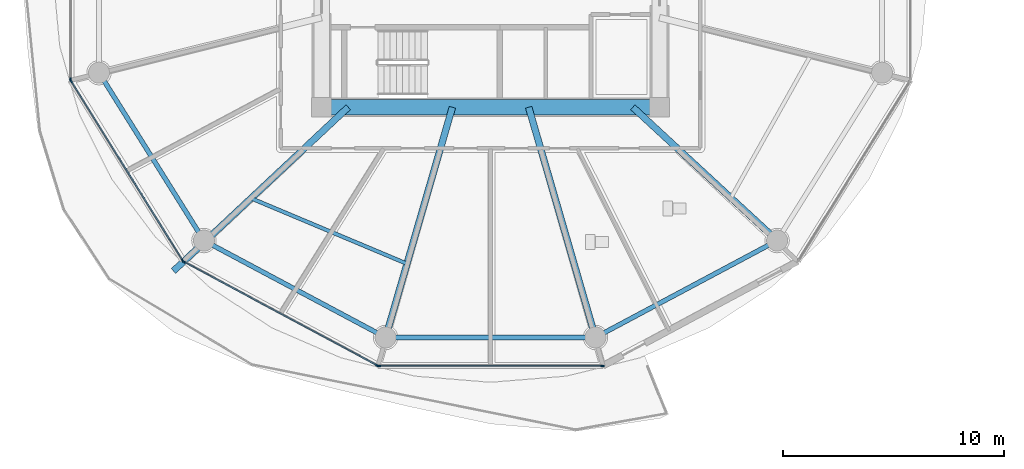
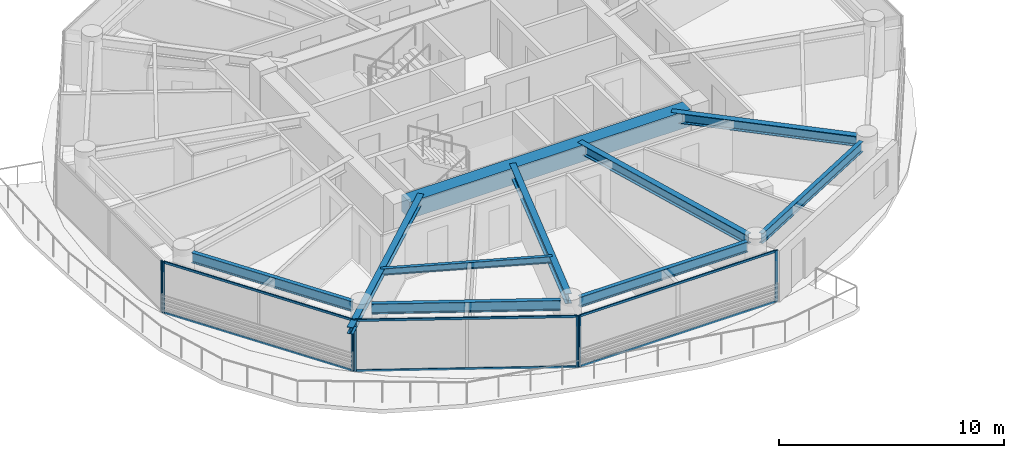
# One storey, part 2 of 31: 13 members, 10 beams, 4 elements without a shape of their own.
"""IFC4 building model written with IfcOpenShell, lengths in metres."""

from ifc_helpers import new_model, si_unit, direction, frame, origin, origin_2d, place, context, subcontext, project, spatial, rectangle, i_section, extrude, source, transform, mapped, material, layer, layer_set, material_profile, profile_set, type_object, type_shapes, element, aggregate, save


model = new_model("IFC4")

# Units and contexts
model_context = context("Model", 3, precision=1e-05, world=origin(), true_north=direction((0.0, 1.0)))
body_context = subcontext(model_context, "Body", "Model", "MODEL_VIEW")
ifc_project = project(units=[si_unit("LENGTHUNIT", "METRE"), si_unit("AREAUNIT", "SQUARE_METRE"), si_unit("VOLUMEUNIT", "CUBIC_METRE"), si_unit("PLANEANGLEUNIT", "RADIAN"), si_unit("MASSUNIT", "GRAM", prefix="KILO")], contexts=[model_context])

# Site, building, storey
site_placement = place(None, origin())
site = spatial("IfcSite", under=ifc_project, at=site_placement, CompositionType="ELEMENT")
building_placement = place(site_placement, origin())
building = spatial("IfcBuilding", under=site, at=building_placement, Name="Norrkilde Senior Care Towers", CompositionType="ELEMENT")
storey_placement = place(building_placement, frame((0.0, 0.0, 42.949951171875)))
storey = spatial("IfcBuildingStorey", under=building, at=storey_placement, Name="L12", CompositionType="ELEMENT", Elevation=42.949951171875)

# Beams
ifc_material_1 = material(Name="Concrete C60/75", Category="concrete")
ifc_material_profile_1 = material_profile(ifc_material_1, rectangle(XDim=0.699951171875, YDim=0.89990234375, at=origin_2d()), Name="RC BM 700x900")
ifc_profile_set_1 = profile_set([ifc_material_profile_1], Name="Concrete C60/75")
beam_type_1 = type_object("IfcBeamType", Name="Core Coupling Girder 700x900", PredefinedType="USERDEFINED", material=ifc_profile_set_1)
shared_shape_1 = source(origin(), body_context, "Body", "SweptSolid", [
    extrude(rectangle(XDim=0.699951171875, YDim=0.89990234375, at=origin_2d()), origin(), (0.0, 0.0, 1.0), 14.43994140625),
])
type_shapes(beam_type_1, [shared_shape_1])
beam_1_placement = place(storey_placement, frame((-35.219970703125, -5.949951171875, 2.340087890625), z_axis=(1.0, 0.0, 0.0), x_axis=(0.0, 1.0, 0.0)))
element("IfcBeam", 1, at=beam_1_placement, inside=storey, type_object=beam_type_1, Name="L12 Core W S Coupling Girder", ObjectType="GIRDER", PredefinedType="USERDEFINED", context=body_context, shape_type="MappedRepresentation", body=[
    mapped(shared_shape_1, transform((0.0, 0.0, 0.0), x_axis=(1.0, 0.0, 0.0), y_axis=(0.0, 1.0, 0.0), z_axis=(0.0, 0.0, 1.0), scale=1.0)),
])
ifc_material_2 = material(Name="Steel S355", Category="steel")
ifc_material_profile_2 = material_profile(ifc_material_2, i_section(OverallWidth=0.2099609375, OverallDepth=0.550048828125, WebThickness=0.010986328125, FlangeThickness=0.01708984375, FilletRadius=0.02392578125, at=origin_2d()), Name="IPE 550")
ifc_profile_set_2 = profile_set([ifc_material_profile_2], Name="Steel S355")
beam_type_2 = type_object("IfcBeamType", Name="Perimeter Ring Spandrel Z1 IPE550", PredefinedType="SPANDREL", material=ifc_profile_set_2)
shared_shape_2 = source(origin(), body_context, "Body", "SweptSolid", [
    extrude(i_section(OverallWidth=0.2099609375, OverallDepth=0.550048828125, WebThickness=0.010986328125, FlangeThickness=0.01708984375, FilletRadius=0.02392578125, at=origin_2d()), origin(), (0.0, 0.0, 1.0), 8.090576171875),
])
beam_2_placement = place(storey_placement, frame((-45.494140625, -4.755859375, 2.51513671875), z_axis=(0.530004364821, -0.84799491347, 0.0), x_axis=(0.84799491347, 0.530004364821, 0.0)))
element("IfcBeam", 2, at=beam_2_placement, inside=storey, type_object=beam_type_2, Name="L12 Drum W Perimeter Spandrel 07", PredefinedType="SPANDREL", context=body_context, shape_type="MappedRepresentation", body=[
    mapped(shared_shape_2, transform((0.0, 0.0, 0.0), x_axis=(1.0, 0.0, 0.0), y_axis=(0.0, 1.0, 0.0), z_axis=(0.0, 0.0, 1.0), scale=1.0)),
])
shared_shape_3 = source(origin(), body_context, "Body", "SweptSolid", [
    extrude(i_section(OverallWidth=0.2099609375, OverallDepth=0.550048828125, WebThickness=0.010986328125, FlangeThickness=0.01708984375, FilletRadius=0.02392578125, at=origin_2d()), origin(), (0.0, 0.0, 1.0), 8.452880859375),
])
for number, where, z_axis, x_axis, name in (
    (3, (-40.591552734375, -12.190185546875, 2.51513671875), (0.882368931134, -0.470558252898, 0.0), (0.470558252898, 0.882368931134, 0.0), "L12 Drum W Perimeter Spandrel 08"),
    (4, (-22.866943359375, -16.167724609375, 2.51513671875), (0.882368931134, 0.470558252898, 0.0), (-0.470558252898, 0.882368931134, 0.0), "L12 Drum W Perimeter Spandrel 10"),
):
    element("IfcBeam", number, at=place(storey_placement, frame(where, z_axis=z_axis, x_axis=x_axis)), inside=storey, type_object=beam_type_2, Name=name, PredefinedType="SPANDREL", context=body_context, shape_type="MappedRepresentation", body=[
        mapped(shared_shape_3, transform((0.0, 0.0, 0.0), x_axis=(1.0, 0.0, 0.0), y_axis=(0.0, 1.0, 0.0), z_axis=(0.0, 0.0, 1.0), scale=1.0)),
    ])
ifc_material_profile_3 = material_profile(ifc_material_2, i_section(OverallWidth=0.300048828125, OverallDepth=0.550048828125, WebThickness=0.014892578125, FlangeThickness=0.029052734375, FilletRadius=0.027099609375, at=origin_2d()), Name="HEB 550")
ifc_profile_set_3 = profile_set([ifc_material_profile_3], Name="Steel S355")
beam_type_3 = type_object("IfcBeamType", Name="Radial Floor Beam Z1 HEB550", PredefinedType="BEAM", material=ifc_profile_set_3)
shared_shape_4 = source(origin(), body_context, "Body", "SweptSolid", [
    extrude(i_section(OverallWidth=0.300048828125, OverallDepth=0.550048828125, WebThickness=0.014892578125, FlangeThickness=0.029052734375, FilletRadius=0.027099609375, at=origin_2d()), origin(), (0.0, 0.0, 1.0), 8.459716796875),
])
beam_3_placement = place(storey_placement, frame((-21.55859375, -5.949951171875, 2.51513671875), z_axis=(0.734573269108, -0.678529374686, 0.0), x_axis=(0.678529374686, 0.734573269108, 0.0)))
element("IfcBeam", 5, at=beam_3_placement, inside=storey, type_object=beam_type_3, Name="L12 Drum W Radial Floor Beam 11", PredefinedType="BEAM", context=body_context, shape_type="MappedRepresentation", body=[
    mapped(shared_shape_4, transform((0.0, 0.0, 0.0), x_axis=(1.0, 0.0, 0.0), y_axis=(0.0, 1.0, 0.0), z_axis=(0.0, 0.0, 1.0), scale=1.0)),
])
shared_shape_5 = source(origin(), body_context, "Body", "SweptSolid", [
    extrude(i_section(OverallWidth=0.2099609375, OverallDepth=0.550048828125, WebThickness=0.010986328125, FlangeThickness=0.01708984375, FilletRadius=0.02392578125, at=origin_2d()), origin(), (0.0, 0.0, 1.0), 8.62841796875),
])
type_shapes(beam_type_2, [shared_shape_2, shared_shape_3, shared_shape_5])
beam_4_placement = place(storey_placement, frame((-32.314208984375, -16.37255859375, 2.51513671875), z_axis=(1.0, 0.0, 0.0), x_axis=(0.0, 1.0, 0.0)))
element("IfcBeam", 6, at=beam_4_placement, inside=storey, type_object=beam_type_2, Name="L12 Drum W Perimeter Spandrel 09", PredefinedType="SPANDREL", context=body_context, shape_type="MappedRepresentation", body=[
    mapped(shared_shape_5, transform((0.0, 0.0, 0.0), x_axis=(1.0, 0.0, 0.0), y_axis=(0.0, 1.0, 0.0), z_axis=(0.0, 0.0, 1.0), scale=1.0)),
])
shared_shape_6 = source(origin(), body_context, "Body", "SweptSolid", [
    extrude(i_section(OverallWidth=0.300048828125, OverallDepth=0.550048828125, WebThickness=0.014892578125, FlangeThickness=0.029052734375, FilletRadius=0.027099609375, at=origin_2d()), origin(), (0.0, 0.0, 1.0), 10.4169921875),
])
type_shapes(beam_type_3, [shared_shape_4, shared_shape_6])
for number, where, z_axis, x_axis, name in (
    (7, (-29.72607421875, -5.949951171875, 2.51513671875), (-0.278591250785, -0.960409764104, 0.0), (0.960409764104, -0.278591250785, 0.0), "L12 Drum W Radial Floor Beam 09"),
    (8, (-26.27392578125, -5.949951171875, 2.51513671875), (0.278591250785, -0.960409764104, 0.0), (0.960409764104, 0.278591250785, 0.0), "L12 Drum W Radial Floor Beam 10"),
):
    element("IfcBeam", number, at=place(storey_placement, frame(where, z_axis=z_axis, x_axis=x_axis)), inside=storey, type_object=beam_type_3, Name=name, PredefinedType="BEAM", context=body_context, shape_type="MappedRepresentation", body=[
        mapped(shared_shape_6, transform((0.0, 0.0, 0.0), x_axis=(1.0, 0.0, 0.0), y_axis=(0.0, 1.0, 0.0), z_axis=(0.0, 0.0, 1.0), scale=1.0)),
    ])
ifc_material_profile_4 = material_profile(ifc_material_2, i_section(OverallWidth=0.169921875, OverallDepth=0.360107421875, WebThickness=0.008056640625, FlangeThickness=0.0126953125, FilletRadius=0.01806640625, at=origin_2d()), Name="IPE 360")
ifc_profile_set_4 = profile_set([ifc_material_profile_4], Name="Steel S355")
beam_type_4 = type_object("IfcBeamType", Name="Secondary Floor Joist IPE360", PredefinedType="JOIST", material=ifc_profile_set_4)
shared_shape_7 = source(origin(), body_context, "Body", "SweptSolid", [
    extrude(i_section(OverallWidth=0.169921875, OverallDepth=0.360107421875, WebThickness=0.008056640625, FlangeThickness=0.0126953125, FilletRadius=0.01806640625, at=origin_2d()), origin(), (0.0, 0.0, 1.0), 7.703857421875),
])
type_shapes(beam_type_4, [shared_shape_7])
beam_5_placement = place(storey_placement, frame((-38.884521484375, -10.05419921875, 2.610107421875), z_axis=(0.921982784465, -0.387230868023, 0.0), x_axis=(0.387230868023, 0.921982784465, 0.0)))
element("IfcBeam", 9, at=beam_5_placement, inside=storey, type_object=beam_type_4, Name="L12 Drum W Secondary Floor Joist 3", PredefinedType="JOIST", context=body_context, shape_type="MappedRepresentation", body=[
    mapped(shared_shape_7, transform((0.0, 0.0, 0.0), x_axis=(1.0, 0.0, 0.0), y_axis=(0.0, 1.0, 0.0), z_axis=(0.0, 0.0, 1.0), scale=1.0)),
])
ifc_material_profile_5 = material_profile(ifc_material_2, i_section(OverallWidth=0.300048828125, OverallDepth=0.360107421875, WebThickness=0.012451171875, FlangeThickness=0.0224609375, FilletRadius=0.027099609375, at=origin_2d()), Name="HEB 360")
ifc_profile_set_5 = profile_set([ifc_material_profile_5], Name="Steel S355")
beam_type_5 = type_object("IfcBeamType", Name="Balcony Crest Cantilever Rib HEB360", PredefinedType="BEAM", material=ifc_profile_set_5)
shared_shape_8 = source(origin(), body_context, "Body", "SweptSolid", [
    extrude(i_section(OverallWidth=0.300048828125, OverallDepth=0.360107421875, WebThickness=0.012451171875, FlangeThickness=0.0224609375, FilletRadius=0.027099609375, at=origin_2d()), origin(), (0.0, 0.0, 1.0), 10.84375),
])
type_shapes(beam_type_5, [shared_shape_8])
beam_6_placement = place(storey_placement, frame((-34.44140625, -5.949951171875, 2.610107421875), z_axis=(-0.729720430815, -0.683745634612, 0.0), x_axis=(0.683745634612, -0.729720430815, 0.0)))
element("IfcBeam", 10, at=beam_6_placement, inside=storey, type_object=beam_type_5, Name="L12 Drum W Balcony Cantilever Rib", PredefinedType="BEAM", context=body_context, shape_type="MappedRepresentation", body=[
    mapped(shared_shape_8, transform((0.0, 0.0, 0.0), x_axis=(1.0, 0.0, 0.0), y_axis=(0.0, 1.0, 0.0), z_axis=(0.0, 0.0, 1.0), scale=1.0)),
])

# Curtain wall, member
ifc_material_3 = material(Name="Triple Low-E Insulated Glazing", Category="glass")
ifc_layer = layer(ifc_material_3, 0.199951171875)
ifc_layer_set = layer_set([ifc_layer], Name="Triple Low-E Insulated Glazing")
curtain_wall_type = type_object("IfcCurtainWallType", Name="CW2 Zone 1 Memory Care Curtain Wall", PredefinedType="NOTDEFINED", material=ifc_layer_set)
curtain_wall_1_placement = place(storey_placement, origin())
curtain_wall_1 = element("IfcCurtainWall", 11, at=curtain_wall_1_placement, inside=storey, type_object=curtain_wall_type, Name="L12 Drum W Curtain Wall 05", PredefinedType="NOTDEFINED")
ifc_material_4 = material(Name="Anodised Aluminium", Category="aluminium")
ifc_material_profile_6 = material_profile(ifc_material_4, rectangle(XDim=0.06494140625, YDim=0.159912109375, at=origin_2d()), Name="ALU MULL 65x160")
ifc_profile_set_6 = profile_set([ifc_material_profile_6], Name="Anodised Aluminium")
member_type_1 = type_object("IfcMemberType", Name="Curtain Wall Mullion Z1-Z2 65x160", PredefinedType="MULLION", material=ifc_profile_set_6)
shared_shape_9 = source(origin(), body_context, "Body", "SweptSolid", [
    extrude(rectangle(XDim=0.06494140625, YDim=0.159912109375, at=origin_2d()), origin(), (0.0, 0.0, 1.0), 2.7900390625),
])
type_shapes(member_type_1, [shared_shape_9])
member_1_placement = place(storey_placement, frame((-47.009521484375, -4.69873046875, 0.0), z_axis=(0.0, 0.0, 1.0), x_axis=(-1.0, 0.0, 0.0)))
member_1 = element("IfcMember", 12, at=member_1_placement, type_object=member_type_1, Name="CW-2 mullion 1", PredefinedType="MULLION", context=body_context, shape_type="MappedRepresentation", body=[
    mapped(shared_shape_9, transform((0.0, 0.0, 0.0), x_axis=(1.0, 0.0, 0.0), y_axis=(0.0, 1.0, 0.0), z_axis=(0.0, 0.0, 1.0), scale=1.0)),
])
aggregate(curtain_wall_1, [member_1])

# Curtain wall, members
curtain_wall_2_placement = place(storey_placement, origin())
curtain_wall_2 = element("IfcCurtainWall", 13, at=curtain_wall_2_placement, inside=storey, type_object=curtain_wall_type, Name="L12 Drum W Curtain Wall 06", PredefinedType="NOTDEFINED")
member_2_placement = place(storey_placement, frame((-41.93310546875, -12.898193359375, 0.0), z_axis=(0.0, 0.0, 1.0), x_axis=(-0.849305943117, -0.527900951871, 0.0)))
member_2 = element("IfcMember", 14, at=member_2_placement, type_object=member_type_1, Name="CW-2 mullion 1", PredefinedType="MULLION", context=body_context, shape_type="MappedRepresentation", body=[
    mapped(shared_shape_9, transform((0.0, 0.0, 0.0), x_axis=(1.0, 0.0, 0.0), y_axis=(0.0, 1.0, 0.0), z_axis=(0.0, 0.0, 1.0), scale=1.0)),
])
member_3_placement = place(storey_placement, frame((-46.9921875, -4.7587890625, 0.0), z_axis=(0.0, 0.0, 1.0), x_axis=(-0.849305943117, -0.527900951871, 0.0)))
member_3 = element("IfcMember", 15, at=member_3_placement, type_object=member_type_1, Name="CW-2 mullion 2", PredefinedType="MULLION", context=body_context, shape_type="MappedRepresentation", body=[
    mapped(shared_shape_9, transform((0.0, 0.0, 0.0), x_axis=(1.0, 0.0, 0.0), y_axis=(0.0, 1.0, 0.0), z_axis=(0.0, 0.0, 1.0), scale=1.0)),
])

curtain_wall_3_placement = place(storey_placement, origin())
curtain_wall_3 = element("IfcCurtainWall", 16, at=curtain_wall_3_placement, inside=storey, type_object=curtain_wall_type, Name="L12 Drum W Curtain Wall 07", PredefinedType="NOTDEFINED")
member_4_placement = place(storey_placement, frame((-33.122314453125, -17.641845703125, 0.0), z_axis=(0.0, 0.0, 1.0), x_axis=(-0.472607802456, -0.881272866403, 0.0)))
member_4 = element("IfcMember", 17, at=member_4_placement, type_object=member_type_1, Name="CW-2 mullion 1", PredefinedType="MULLION", context=body_context, shape_type="MappedRepresentation", body=[
    mapped(shared_shape_9, transform((0.0, 0.0, 0.0), x_axis=(1.0, 0.0, 0.0), y_axis=(0.0, 1.0, 0.0), z_axis=(0.0, 0.0, 1.0), scale=1.0)),
])
member_5_placement = place(storey_placement, frame((-41.88720703125, -12.941162109375, 0.0), z_axis=(0.0, 0.0, 1.0), x_axis=(-0.472607802456, -0.881272866403, 0.0)))
member_5 = element("IfcMember", 18, at=member_5_placement, type_object=member_type_1, Name="CW-2 mullion 2", PredefinedType="MULLION", context=body_context, shape_type="MappedRepresentation", body=[
    mapped(shared_shape_9, transform((0.0, 0.0, 0.0), x_axis=(1.0, 0.0, 0.0), y_axis=(0.0, 1.0, 0.0), z_axis=(0.0, 0.0, 1.0), scale=1.0)),
])

curtain_wall_4_placement = place(storey_placement, origin())
curtain_wall_4 = element("IfcCurtainWall", 19, at=curtain_wall_4_placement, inside=storey, type_object=curtain_wall_type, Name="L12 Drum W Curtain Wall 08", PredefinedType="NOTDEFINED")
member_6_placement = place(storey_placement, frame((-22.93896484375, -17.6572265625, 0.0), z_axis=(0.0, 0.0, 1.0), x_axis=(0.0, -1.0, 0.0)))
member_6 = element("IfcMember", 20, at=member_6_placement, type_object=member_type_1, Name="CW-2 mullion 1", PredefinedType="MULLION", context=body_context, shape_type="MappedRepresentation", body=[
    mapped(shared_shape_9, transform((0.0, 0.0, 0.0), x_axis=(1.0, 0.0, 0.0), y_axis=(0.0, 1.0, 0.0), z_axis=(0.0, 0.0, 1.0), scale=1.0)),
])
member_7_placement = place(storey_placement, frame((-33.06103515625, -17.6572265625, 0.0), z_axis=(0.0, 0.0, 1.0), x_axis=(0.0, -1.0, 0.0)))
member_7 = element("IfcMember", 21, at=member_7_placement, type_object=member_type_1, Name="CW-2 mullion 2", PredefinedType="MULLION", context=body_context, shape_type="MappedRepresentation", body=[
    mapped(shared_shape_9, transform((0.0, 0.0, 0.0), x_axis=(1.0, 0.0, 0.0), y_axis=(0.0, 1.0, 0.0), z_axis=(0.0, 0.0, 1.0), scale=1.0)),
])

# Member
ifc_material_profile_7 = material_profile(ifc_material_4, rectangle(XDim=0.06005859375, YDim=0.1201171875, at=origin_2d()), Name="ALU TRAN 60x120")
ifc_profile_set_7 = profile_set([ifc_material_profile_7], Name="Anodised Aluminium")
member_type_2 = type_object("IfcMemberType", Name="Curtain Wall Transom Typical 60x120", PredefinedType="USERDEFINED", material=ifc_profile_set_7)
shared_shape_10 = source(origin(), body_context, "Body", "SweptSolid", [
    extrude(rectangle(XDim=0.06005859375, YDim=0.1201171875, at=origin_2d()), origin(), (0.0, 0.0, 1.0), 9.5185546875),
])
member_8_placement = place(storey_placement, frame((-41.9501953125, -12.87060546875, 0.030029296875), z_axis=(-0.527901620669, 0.849305527413, 0.0), x_axis=(-0.849305527413, -0.527901620669, 0.0)))
member_8 = element("IfcMember", 22, at=member_8_placement, type_object=member_type_2, Name="CW-2 transom 1.1", ObjectType="TRANSOM", PredefinedType="USERDEFINED", context=body_context, shape_type="MappedRepresentation", body=[
    mapped(shared_shape_10, transform((0.0, 0.0, 0.0), x_axis=(1.0, 0.0, 0.0), y_axis=(0.0, 1.0, 0.0), z_axis=(0.0, 0.0, 1.0), scale=1.0)),
])

member_9_placement = place(storey_placement, frame((-41.9501953125, -12.87060546875, 2.760009765625), z_axis=(-0.527901620669, 0.849305527413, 0.0), x_axis=(-0.849305527413, -0.527901620669, 0.0)))
member_9 = element("IfcMember", 23, at=member_9_placement, type_object=member_type_2, Name="CW-2 transom 1.2", ObjectType="TRANSOM", PredefinedType="USERDEFINED", context=body_context, shape_type="MappedRepresentation", body=[
    mapped(shared_shape_10, transform((0.0, 0.0, 0.0), x_axis=(1.0, 0.0, 0.0), y_axis=(0.0, 1.0, 0.0), z_axis=(0.0, 0.0, 1.0), scale=1.0)),
])

aggregate(curtain_wall_2, [member_2, member_3, member_8, member_9])

shared_shape_11 = source(origin(), body_context, "Body", "SweptSolid", [
    extrude(rectangle(XDim=0.06005859375, YDim=0.1201171875, at=origin_2d()), origin(), (0.0, 0.0, 1.0), 9.880859375),
])
member_10_placement = place(storey_placement, frame((-33.15087890625, -17.62646484375, 0.030029296875), z_axis=(-0.881267204043, 0.47261836092, 0.0), x_axis=(-0.47261836092, -0.881267204043, 0.0)))
member_10 = element("IfcMember", 24, at=member_10_placement, type_object=member_type_2, Name="CW-2 transom 1.1", ObjectType="TRANSOM", PredefinedType="USERDEFINED", context=body_context, shape_type="MappedRepresentation", body=[
    mapped(shared_shape_11, transform((0.0, 0.0, 0.0), x_axis=(1.0, 0.0, 0.0), y_axis=(0.0, 1.0, 0.0), z_axis=(0.0, 0.0, 1.0), scale=1.0)),
])

member_11_placement = place(storey_placement, frame((-33.15087890625, -17.62646484375, 2.760009765625), z_axis=(-0.881267204043, 0.47261836092, 0.0), x_axis=(-0.47261836092, -0.881267204043, 0.0)))
member_11 = element("IfcMember", 25, at=member_11_placement, type_object=member_type_2, Name="CW-2 transom 1.2", ObjectType="TRANSOM", PredefinedType="USERDEFINED", context=body_context, shape_type="MappedRepresentation", body=[
    mapped(shared_shape_11, transform((0.0, 0.0, 0.0), x_axis=(1.0, 0.0, 0.0), y_axis=(0.0, 1.0, 0.0), z_axis=(0.0, 0.0, 1.0), scale=1.0)),
])

aggregate(curtain_wall_3, [member_4, member_5, member_10, member_11])

shared_shape_12 = source(origin(), body_context, "Body", "SweptSolid", [
    extrude(rectangle(XDim=0.06005859375, YDim=0.1201171875, at=origin_2d()), origin(), (0.0, 0.0, 1.0), 10.05712890625),
])
type_shapes(member_type_2, [shared_shape_10, shared_shape_11, shared_shape_12])
member_12_placement = place(storey_placement, frame((-22.971435546875, -17.6572265625, 0.030029296875), z_axis=(-1.0, 0.0, 0.0), x_axis=(0.0, -1.0, 0.0)))
member_12 = element("IfcMember", 26, at=member_12_placement, type_object=member_type_2, Name="CW-2 transom 1.1", ObjectType="TRANSOM", PredefinedType="USERDEFINED", context=body_context, shape_type="MappedRepresentation", body=[
    mapped(shared_shape_12, transform((0.0, 0.0, 0.0), x_axis=(1.0, 0.0, 0.0), y_axis=(0.0, 1.0, 0.0), z_axis=(0.0, 0.0, 1.0), scale=1.0)),
])

member_13_placement = place(storey_placement, frame((-22.971435546875, -17.6572265625, 2.760009765625), z_axis=(-1.0, 0.0, 0.0), x_axis=(0.0, -1.0, 0.0)))
member_13 = element("IfcMember", 27, at=member_13_placement, type_object=member_type_2, Name="CW-2 transom 1.2", ObjectType="TRANSOM", PredefinedType="USERDEFINED", context=body_context, shape_type="MappedRepresentation", body=[
    mapped(shared_shape_12, transform((0.0, 0.0, 0.0), x_axis=(1.0, 0.0, 0.0), y_axis=(0.0, 1.0, 0.0), z_axis=(0.0, 0.0, 1.0), scale=1.0)),
])

aggregate(curtain_wall_4, [member_6, member_7, member_12, member_13])

save(model, "model.ifc")
